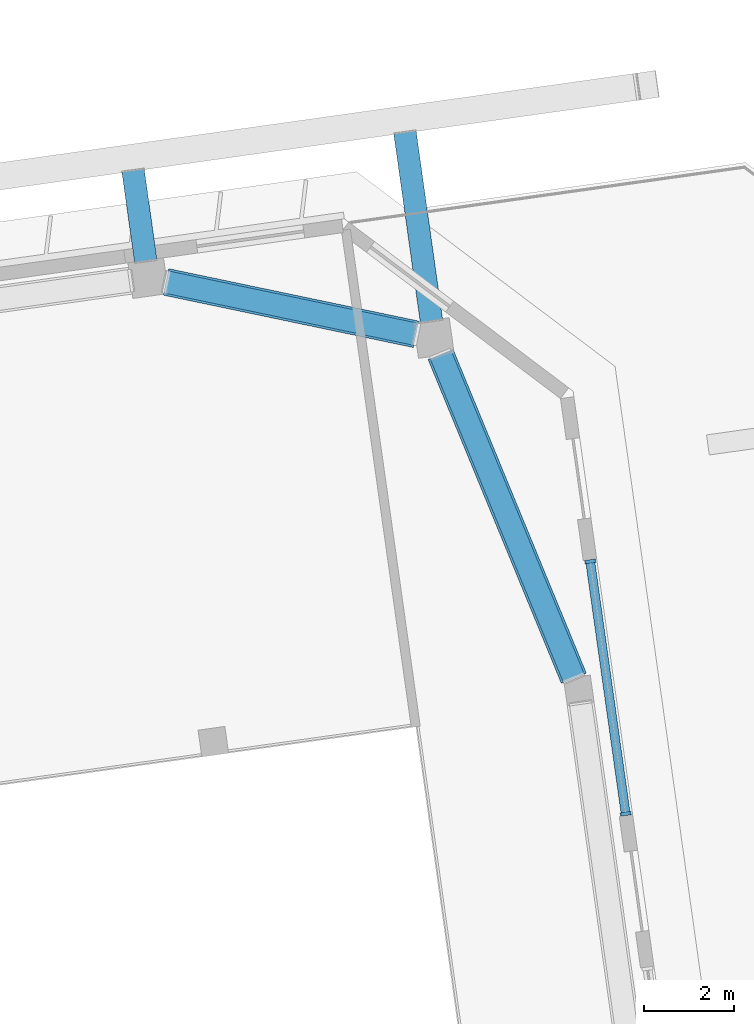
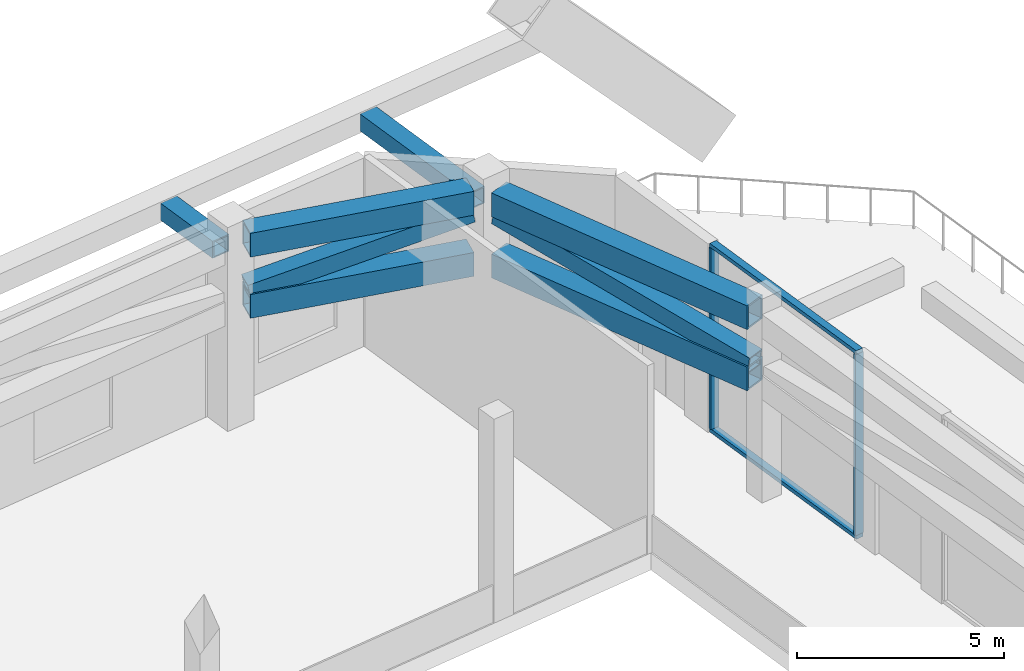
# One storey, part 13 of 29: 12 members, 1 element without a shape of its own.
"""IFC4 building model written with IfcOpenShell, lengths in metres."""

from ifc_helpers import new_model, si_unit, direction, frame, origin, origin_2d, place, context, subcontext, project, spatial, rectangle, hollow_rectangle, extrude, material, material_profile, profile_set, type_object, element, aggregate, save


model = new_model("IFC4")

# Units and contexts
model_context = context("Model", 3, precision=1e-05, world=origin(), true_north=direction((0.0, 1.0)))
body_context = subcontext(model_context, "Body", "Model", "MODEL_VIEW")
ifc_project = project(units=[si_unit("LENGTHUNIT", "METRE"), si_unit("AREAUNIT", "SQUARE_METRE"), si_unit("VOLUMEUNIT", "CUBIC_METRE"), si_unit("PLANEANGLEUNIT", "RADIAN"), si_unit("MASSUNIT", "GRAM", prefix="KILO")], contexts=[model_context])

# Site, building, storey
site_placement = place(None, origin())
site = spatial("IfcSite", under=ifc_project, at=site_placement, CompositionType="ELEMENT")
building_placement = place(site_placement, origin())
building = spatial("IfcBuilding", under=site, at=building_placement, Name="Mirante Cascada Hotel Towers", CompositionType="ELEMENT")
storey_placement = place(building_placement, frame((0.0, 0.0, 210.6)))
storey = spatial("IfcBuildingStorey", under=building, at=storey_placement, Name="L50", CompositionType="ELEMENT", Elevation=210.6)

# Members
ifc_material_1 = material(Name="Steel ASTM A572 Gr 50", Category="steel")
ifc_material_profile_1 = material_profile(ifc_material_1, hollow_rectangle(XDim=0.6, YDim=0.7, WallThickness=0.05, at=origin_2d()), Name="Box chord 700x600x50 ASTM A572 Gr 50")
ifc_profile_set_1 = profile_set([ifc_material_profile_1], Name="Steel ASTM A572 Gr 50")
member_type_1 = type_object("IfcMemberType", Name="Box chord 700x600x50 ASTM A572 Gr 50", PredefinedType="CHORD", material=ifc_profile_set_1)
for number, where, z_axis, x_axis, name in (
    (1, (63.4994, 21.049, 5.2), (0.9787546, -0.2050351, 0.0), (0.2050351, 0.9787546, 0.0), "belt T2 L50 13"),
    (2, (63.4994, 21.049, 3.4), (0.9787546, -0.2050351, 0.0), (0.2050351, 0.9787546, 0.0), "belt T2 L50 14"),
):
    element("IfcMember", number, at=place(storey_placement, frame(where, z_axis=z_axis, x_axis=x_axis)), inside=storey, type_object=member_type_1, Name=name, PredefinedType="CHORD", context=body_context, shape_type="SweptSolid", body=[
        extrude(hollow_rectangle(XDim=0.6, YDim=0.7, WallThickness=0.05, at=origin_2d()), origin(), (0.0, 0.0, 1.0), 5.6741),
    ])
for number, where, z_axis, x_axis, name in (
    (3, (69.5991, 19.4391, 5.2), (0.3805074, -0.9247779, 0.0), (0.9247779, 0.3805074, 0.0), "belt T2 L50 16"),
    (4, (69.5991, 19.4391, 3.4), (0.3805074, -0.9247779, 0.0), (0.9247779, 0.3805074, 0.0), "belt T2 L50 17"),
):
    element("IfcMember", number, at=place(storey_placement, frame(where, z_axis=z_axis, x_axis=x_axis)), inside=storey, type_object=member_type_1, Name=name, PredefinedType="CHORD", context=body_context, shape_type="SweptSolid", body=[
        extrude(hollow_rectangle(XDim=0.6, YDim=0.7, WallThickness=0.05, at=origin_2d()), origin(), (0.0, 0.0, 1.0), 7.782),
    ])
ifc_material_2 = material(Name="Steel ASTM A572 Gr 50", Category="steel")
ifc_material_profile_2 = material_profile(ifc_material_2, hollow_rectangle(XDim=0.5, YDim=0.5, WallThickness=0.035, at=origin_2d()), Name="Box diagonal 500x500x35 ASTM A572 Gr 50")
ifc_profile_set_2 = profile_set([ifc_material_profile_2], Name="Steel ASTM A572 Gr 50")
member_type_2 = type_object("IfcMemberType", Name="Box diagonal 500x500x35 ASTM A572 Gr 50", PredefinedType="BRACE", material=ifc_profile_set_2)
member_1_placement = place(storey_placement, frame((63.4994, 21.049, 3.75), z_axis=(0.9608654, -0.2012876, 0.1903183), x_axis=(0.2050351, 0.9787546, 0.0)))
element("IfcMember", 5, at=member_1_placement, inside=storey, type_object=member_type_2, Name="belt T2 L50 15", PredefinedType="BRACE", context=body_context, shape_type="SweptSolid", body=[
    extrude(hollow_rectangle(XDim=0.5, YDim=0.5, WallThickness=0.035, at=origin_2d()), origin(), (0.0, 0.0, 1.0), 5.7798),
])
member_2_placement = place(storey_placement, frame((69.5991, 19.4391, 4.85), z_axis=(0.3767621, -0.9156753, -0.1399609), x_axis=(0.9247779, 0.3805074, 0.0)))
element("IfcMember", 6, at=member_2_placement, inside=storey, type_object=member_type_2, Name="belt T2 L50 18", PredefinedType="BRACE", context=body_context, shape_type="SweptSolid", body=[
    extrude(hollow_rectangle(XDim=0.5, YDim=0.5, WallThickness=0.035, at=origin_2d()), origin(), (0.0, 0.0, 1.0), 7.8593),
])
ifc_material_3 = material(Name="Steel ASTM A572 Gr 50", Category="steel")
ifc_material_profile_3 = material_profile(ifc_material_3, hollow_rectangle(XDim=0.5, YDim=0.5, WallThickness=0.035, at=origin_2d()), Name="Box tie 500x500x35 ASTM A572 Gr 50")
ifc_profile_set_3 = profile_set([ifc_material_profile_3], Name="Steel ASTM A572 Gr 50")
member_type_3 = type_object("IfcMemberType", Name="Box tie 500x500x35 ASTM A572 Gr 50", PredefinedType="STRUT", material=ifc_profile_set_3)
member_3_placement = place(storey_placement, frame((63.0499, 21.5084, 4.85), z_axis=(-0.1391632, 0.9902695, 0.0), x_axis=(-0.9902695, -0.1391632, 0.0)))
element("IfcMember", 7, at=member_3_placement, inside=storey, type_object=member_type_3, Name="tie T2 L50 7", PredefinedType="STRUT", context=body_context, shape_type="SweptSolid", body=[
    extrude(hollow_rectangle(XDim=0.5, YDim=0.5, WallThickness=0.035, at=origin_2d()), origin(), (0.0, 0.0, 1.0), 2.0401),
])
member_4_placement = place(storey_placement, frame((69.3967, 20.1788, 4.85), z_axis=(-0.1391757, 0.9902677, 0.0), x_axis=(-0.9902677, -0.1391757, 0.0)))
element("IfcMember", 8, at=member_4_placement, inside=storey, type_object=member_type_3, Name="tie T2 L50 9", PredefinedType="STRUT", context=body_context, shape_type="SweptSolid", body=[
    extrude(hollow_rectangle(XDim=0.5, YDim=0.5, WallThickness=0.035, at=origin_2d()), origin(), (0.0, 0.0, 1.0), 4.24),
])

# Curtain wall, members
ifc_material_4 = material(Name="Aluminium mullion and transom frame with clear laminated glass", Category="aluminium")
curtain_wall_type = type_object("IfcCurtainWallType", Name="Sky garden curtain wall ECW4", PredefinedType="NOTDEFINED", material=ifc_material_4)
curtain_wall_placement = place(storey_placement, origin())
curtain_wall = element("IfcCurtainWall", 9, at=curtain_wall_placement, inside=storey, type_object=curtain_wall_type, Name="Sky garden wall T2 L50 run 3", PredefinedType="NOTDEFINED")
ifc_material_5 = material(Name="Anodised aluminium extrusion", Category="aluminium")
ifc_material_profile_4 = material_profile(ifc_material_5, rectangle(XDim=0.24, YDim=0.075, at=origin_2d()), Name="ECW4 MULLION 75x240")
ifc_profile_set_4 = profile_set([ifc_material_profile_4], Name="Anodised aluminium extrusion")
member_type_4 = type_object("IfcMemberType", Name="ECW4 mullion 75x240", PredefinedType="MULLION", material=ifc_profile_set_4)
member_5_placement = place(storey_placement, frame((73.7124, 9.2304, 0.11), z_axis=(0.0, 0.0, 1.0), x_axis=(-0.9902681, -0.1391731, 0.0)))
member_5 = element("IfcMember", 10, at=member_5_placement, type_object=member_type_4, Name="ECW4 mullion 1", PredefinedType="MULLION", context=body_context, shape_type="SweptSolid", body=[
    extrude(rectangle(XDim=0.24, YDim=0.075, at=origin_2d()), origin(), (0.0, 0.0, 1.0), 5.33),
])
member_6_placement = place(storey_placement, frame((72.9243, 14.8381, 0.11), z_axis=(0.0, 0.0, 1.0), x_axis=(-0.9902681, -0.1391731, 0.0)))
member_6 = element("IfcMember", 11, at=member_6_placement, type_object=member_type_4, Name="ECW4 mullion 2", PredefinedType="MULLION", context=body_context, shape_type="SweptSolid", body=[
    extrude(rectangle(XDim=0.24, YDim=0.075, at=origin_2d()), origin(), (0.0, 0.0, 1.0), 5.33),
])
ifc_material_6 = material(Name="Anodised aluminium extrusion", Category="aluminium")
ifc_material_profile_5 = material_profile(ifc_material_6, rectangle(XDim=0.2, YDim=0.11, at=origin_2d()), Name="ECW4 TRANSOM 110x200")
ifc_profile_set_5 = profile_set([ifc_material_profile_5], Name="Anodised aluminium extrusion")
member_type_5 = type_object("IfcMemberType", Name="ECW4 transom 110x200", PredefinedType="USERDEFINED", material=ifc_profile_set_5)
member_7_placement = place(storey_placement, frame((73.7177, 9.1933, 0.055), z_axis=(-0.1391811, 0.9902669, 0.0), x_axis=(-0.9902669, -0.1391811, 0.0)))
member_7 = element("IfcMember", 12, at=member_7_placement, type_object=member_type_5, Name="ECW4 sill transom", ObjectType="TRANSOM", PredefinedType="USERDEFINED", context=body_context, shape_type="SweptSolid", body=[
    extrude(rectangle(XDim=0.2, YDim=0.11, at=origin_2d()), origin(), (0.0, 0.0, 1.0), 5.7378),
])
member_8_placement = place(storey_placement, frame((73.7177, 9.1933, 5.495), z_axis=(-0.1391811, 0.9902669, 0.0), x_axis=(-0.9902669, -0.1391811, 0.0)))
member_8 = element("IfcMember", 13, at=member_8_placement, type_object=member_type_5, Name="ECW4 head transom", ObjectType="TRANSOM", PredefinedType="USERDEFINED", context=body_context, shape_type="SweptSolid", body=[
    extrude(rectangle(XDim=0.2, YDim=0.11, at=origin_2d()), origin(), (0.0, 0.0, 1.0), 5.7378),
])
aggregate(curtain_wall, [member_7, member_8, member_5, member_6])

save(model, "model.ifc")
